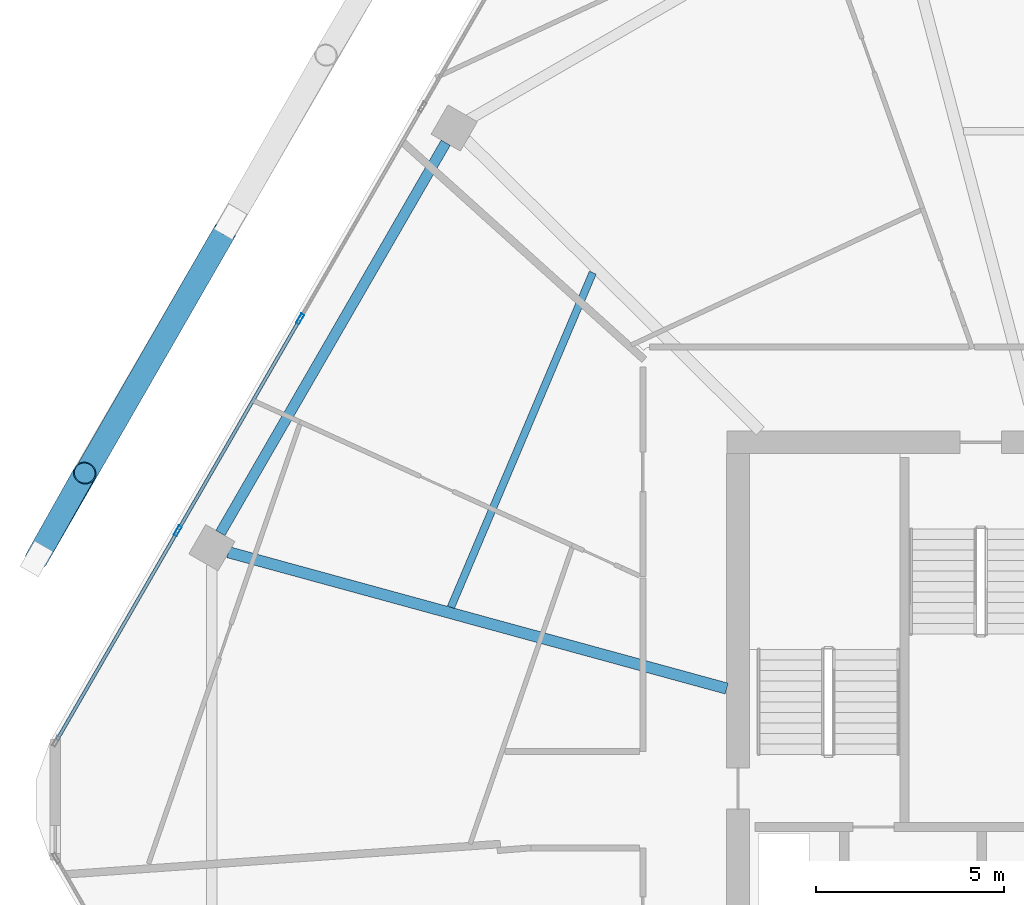
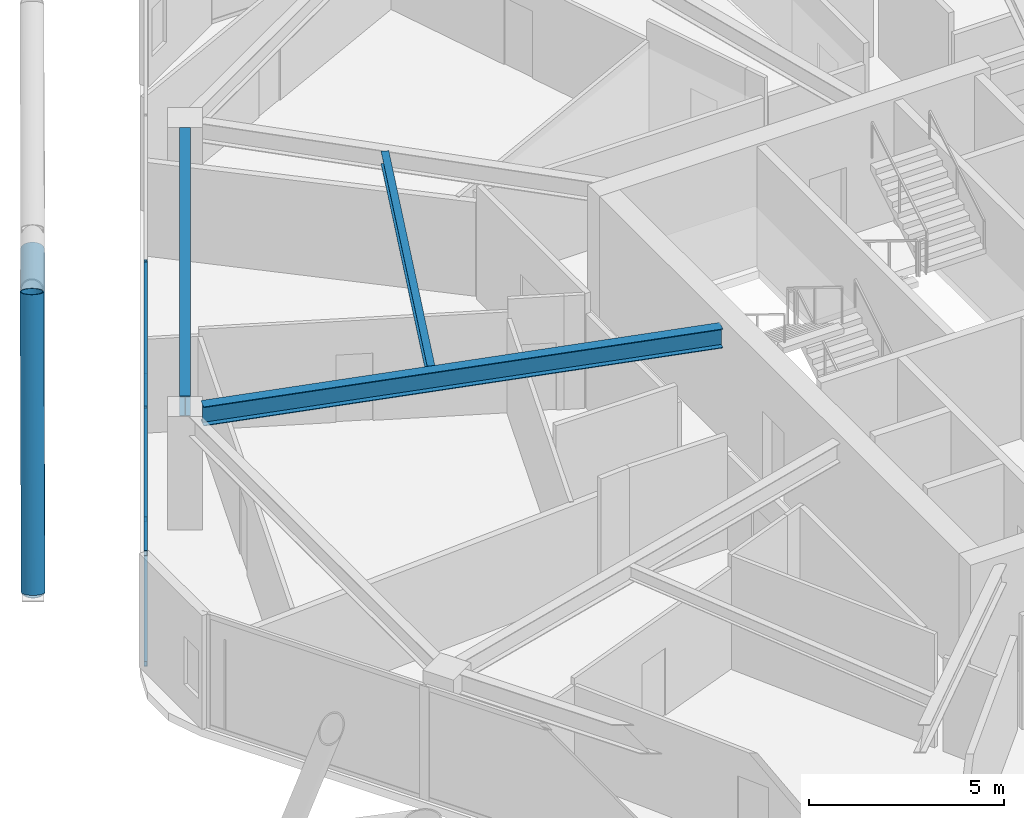
# One storey, part 12 of 26: 8 members, 3 beams, 1 element without a shape of its own.
"""IFC4 building model written with IfcOpenShell, lengths in metres."""

from ifc_helpers import new_model, si_unit, direction, frame, origin, origin_2d, place, context, subcontext, project, spatial, hollow_rectangle, hollow_circle, i_section, extrude, material, material_profile, profile_set, type_object, element, aggregate, save


model = new_model("IFC4")

# Units and contexts
model_context = context("Model", 3, precision=1e-05, world=origin(), true_north=direction((0.0, 1.0)))
body_context = subcontext(model_context, "Body", "Model", "MODEL_VIEW")
ifc_project = project(units=[si_unit("LENGTHUNIT", "METRE"), si_unit("AREAUNIT", "SQUARE_METRE"), si_unit("VOLUMEUNIT", "CUBIC_METRE"), si_unit("PLANEANGLEUNIT", "RADIAN"), si_unit("MASSUNIT", "GRAM", prefix="KILO")], contexts=[model_context])

# Site, building, storey
site_placement = place(None, origin())
site = spatial("IfcSite", under=ifc_project, at=site_placement, CompositionType="ELEMENT")
building_placement = place(site_placement, origin())
building = spatial("IfcBuilding", under=site, at=building_placement, Name="Zuhravey Tower", CompositionType="ELEMENT")
storey_placement = place(building_placement, frame((0.0, 0.0, 231.199951171875)))
storey = spatial("IfcBuildingStorey", under=building, at=storey_placement, Name="L58", CompositionType="ELEMENT", Elevation=231.199951171875)

# Curtain wall, members
ifc_material_1 = material(Name="Thermally broken anodised aluminium", Category="aluminium")
curtain_wall_type = type_object("IfcCurtainWallType", Name="Zone 3-4 High-Rise Curtain Wall CW4", PredefinedType="NOTDEFINED", material=ifc_material_1)
curtain_wall_placement = place(storey_placement, origin())
curtain_wall = element("IfcCurtainWall", 1, at=curtain_wall_placement, inside=storey, type_object=curtain_wall_type, Name="L58 CW4 CW-L58-F3-1", PredefinedType="NOTDEFINED")
ifc_material_2 = material(Name="Anodised aluminium", Category="aluminium")
ifc_material_profile_1 = material_profile(ifc_material_2, hollow_rectangle(XDim=0.090087890625, YDim=0.284912109375, WallThickness=0.0048828125, at=origin_2d()), Name="ALU-RHS-90x285x5")
ifc_profile_set_1 = profile_set([ifc_material_profile_1], Name="Anodised aluminium")
member_type_1 = type_object("IfcMemberType", Name="Curtain-Wall Mullion 90x180", PredefinedType="MULLION", material=ifc_profile_set_1)
member_1_placement = place(storey_placement, frame((10.608154296875, 39.147216796875, 0.0), z_axis=(0.0, 0.0, 1.0), x_axis=(-0.866024851021, 0.500000957414, 0.0)))
member_1 = element("IfcMember", 2, at=member_1_placement, type_object=member_type_1, Name="CW4 mullion 2", PredefinedType="MULLION", context=body_context, shape_type="SweptSolid", body=[
    extrude(hollow_rectangle(XDim=0.090087890625, YDim=0.284912109375, WallThickness=0.0048828125, at=origin_2d()), origin(), (0.0, 0.0, 1.0), 3.550048828125),
])
member_2_placement = place(storey_placement, frame((13.861328125, 44.78173828125, 0.0), z_axis=(0.0, 0.0, 1.0), x_axis=(-0.866024851021, 0.500000957414, 0.0)))
member_2 = element("IfcMember", 3, at=member_2_placement, type_object=member_type_1, Name="CW4 mullion 3", PredefinedType="MULLION", context=body_context, shape_type="SweptSolid", body=[
    extrude(hollow_rectangle(XDim=0.090087890625, YDim=0.284912109375, WallThickness=0.0048828125, at=origin_2d()), origin(), (0.0, 0.0, 1.0), 3.550048828125),
])
ifc_material_profile_2 = material_profile(ifc_material_2, hollow_rectangle(XDim=0.090087890625, YDim=0.14990234375, WallThickness=0.0048828125, at=origin_2d()), Name="ALU-RHS-90x150x5")
ifc_profile_set_2 = profile_set([ifc_material_profile_2], Name="Anodised aluminium")
member_type_2 = type_object("IfcMemberType", Name="Curtain-Wall Transom 90x150", PredefinedType="USERDEFINED", material=ifc_profile_set_2)
member_3_placement = place(storey_placement, frame((7.39990234375, 33.59033203125, 0.045166015625), z_axis=(0.500008810174, 0.866020317169, 0.0), x_axis=(-0.866020317169, 0.500008810174, 0.0)))
member_3 = element("IfcMember", 4, at=member_3_placement, type_object=member_type_2, Name="CW4 transom 1.1", ObjectType="TRANSOM", PredefinedType="USERDEFINED", context=body_context, shape_type="SweptSolid", body=[
    extrude(hollow_rectangle(XDim=0.090087890625, YDim=0.14990234375, WallThickness=0.0048828125, at=origin_2d()), origin(), (0.0, 0.0, 1.0), 6.37158203125),
])
member_4_placement = place(storey_placement, frame((7.39990234375, 33.59033203125, 3.505126953125), z_axis=(0.500008810174, 0.866020317169, 0.0), x_axis=(-0.866020317169, 0.500008810174, 0.0)))
member_4 = element("IfcMember", 5, at=member_4_placement, type_object=member_type_2, Name="CW4 transom 1.2", ObjectType="TRANSOM", PredefinedType="USERDEFINED", context=body_context, shape_type="SweptSolid", body=[
    extrude(hollow_rectangle(XDim=0.090087890625, YDim=0.14990234375, WallThickness=0.0048828125, at=origin_2d()), origin(), (0.0, 0.0, 1.0), 6.37158203125),
])
member_5_placement = place(storey_placement, frame((10.630615234375, 39.18603515625, 0.045166015625), z_axis=(0.499998017366, 0.866026548456, 0.0), x_axis=(-0.866026548456, 0.499998017366, 0.0)))
member_5 = element("IfcMember", 6, at=member_5_placement, type_object=member_type_2, Name="CW4 transom 2.1", ObjectType="TRANSOM", PredefinedType="USERDEFINED", context=body_context, shape_type="SweptSolid", body=[
    extrude(hollow_rectangle(XDim=0.090087890625, YDim=0.14990234375, WallThickness=0.0048828125, at=origin_2d()), origin(), (0.0, 0.0, 1.0), 6.41650390625),
])
member_6_placement = place(storey_placement, frame((10.630615234375, 39.18603515625, 3.505126953125), z_axis=(0.499998017366, 0.866026548456, 0.0), x_axis=(-0.866026548456, 0.499998017366, 0.0)))
member_6 = element("IfcMember", 7, at=member_6_placement, type_object=member_type_2, Name="CW4 transom 2.2", ObjectType="TRANSOM", PredefinedType="USERDEFINED", context=body_context, shape_type="SweptSolid", body=[
    extrude(hollow_rectangle(XDim=0.090087890625, YDim=0.14990234375, WallThickness=0.0048828125, at=origin_2d()), origin(), (0.0, 0.0, 1.0), 6.41650390625),
])
aggregate(curtain_wall, [member_1, member_2, member_3, member_4, member_5, member_6])

# Members
ifc_material_3 = material(Name="Steel SM355", Category="steel")
ifc_material_profile_3 = material_profile(ifc_material_3, hollow_circle(Radius=0.3046875, WallThickness=0.028076171875, at=origin_2d()), Name="CHS-609.6x28")
ifc_profile_set_3 = profile_set([ifc_material_profile_3], Name="Steel SM355")
member_type_3 = type_object("IfcMemberType", Name="Exoskeleton Zone 3 Diagrid CHS610x28", PredefinedType="BRACE", material=ifc_profile_set_3)
member_7_placement = place(storey_placement, frame((6.855712890625, 38.407958984375, -0.446044921875), z_axis=(0.159790806545, 0.284218324033, 0.945350116321), x_axis=(-0.871682978645, 0.490070183485, 0.0)))
element("IfcMember", 8, at=member_7_placement, inside=storey, type_object=member_type_3, Name="L58 Face 3 Diagrid Brace 4", PredefinedType="BRACE", context=body_context, shape_type="SweptSolid", body=[
    extrude(hollow_circle(Radius=0.3046875, WallThickness=0.028076171875, at=origin_2d()), origin(), (0.0, 0.0, 1.0), 8.00146484375),
])
member_8_placement = place(storey_placement, frame((6.87158203125, 38.435546875, -0.449951171875), z_axis=(0.46812648662, 0.81354664089, 0.344962977175), x_axis=(-0.866751032843, 0.498741062141, 0.0)))
element("IfcMember", 9, at=member_8_placement, inside=storey, type_object=member_type_3, Name="L58 Face 3 Split Diagrid Brace 3A", PredefinedType="BRACE", context=body_context, shape_type="SweptSolid", body=[
    extrude(hollow_circle(Radius=0.3046875, WallThickness=0.028076171875, at=origin_2d()), origin(), (0.0, 0.0, 1.0), 10.680419921875),
])

# Beams
ifc_material_profile_4 = material_profile(ifc_material_3, i_section(OverallWidth=0.280029296875, OverallDepth=0.6201171875, WebThickness=0.011962890625, FlangeThickness=0.02001953125, at=origin_2d()), Name="H-620x280x12x20")
ifc_profile_set_4 = profile_set([ifc_material_profile_4], Name="Steel SM355")
beam_type_1 = type_object("IfcBeamType", Name="Perimeter Ring Beam H620x280", PredefinedType="BEAM", material=ifc_profile_set_4)
beam_1_placement = place(storey_placement, frame((17.72998046875, 49.46240234375, 3.239990234375), z_axis=(-0.500017744717, -0.866015158625, 0.0), x_axis=(0.866015158625, -0.500017744717, 0.0)))
element("IfcBeam", 10, at=beam_1_placement, inside=storey, type_object=beam_type_1, Name="L58 PB3 BM-L58-PB-05", PredefinedType="BEAM", context=body_context, shape_type="SweptSolid", body=[
    extrude(i_section(OverallWidth=0.280029296875, OverallDepth=0.6201171875, WebThickness=0.011962890625, FlangeThickness=0.02001953125, at=origin_2d()), origin(), (0.0, 0.0, 1.0), 11.9755859375),
])
ifc_material_profile_5 = material_profile(ifc_material_3, i_section(OverallWidth=0.300048828125, OverallDepth=0.60009765625, WebThickness=0.011962890625, FlangeThickness=0.02001953125, at=origin_2d()), Name="H-600x300x12x20")
ifc_profile_set_5 = profile_set([ifc_material_profile_5], Name="Steel SM355")
beam_type_2 = type_object("IfcBeamType", Name="Radial Primary Girder H600x300", PredefinedType="BEAM", material=ifc_profile_set_5)
beam_2_placement = place(storey_placement, frame((25.197021484375, 34.95556640625, 3.25), z_axis=(-0.964548913045, 0.26390413855, 0.0), x_axis=(-0.26390413855, -0.964548913045, 0.0)))
element("IfcBeam", 11, at=beam_2_placement, inside=storey, type_object=beam_type_2, Name="L58 RG3 BM-L58-RAD-06", PredefinedType="BEAM", context=body_context, shape_type="SweptSolid", body=[
    extrude(i_section(OverallWidth=0.300048828125, OverallDepth=0.60009765625, WebThickness=0.011962890625, FlangeThickness=0.02001953125, at=origin_2d()), origin(), (0.0, 0.0, 1.0), 13.7314453125),
])
ifc_material_profile_6 = material_profile(ifc_material_3, i_section(OverallWidth=0.199951171875, OverallDepth=0.39990234375, WebThickness=0.008056640625, FlangeThickness=0.012939453125, at=origin_2d()), Name="H-400x200x8x13")
ifc_profile_set_6 = profile_set([ifc_material_profile_6], Name="Steel SM355")
beam_type_3 = type_object("IfcBeamType", Name="Secondary Floor Joist H400x200", PredefinedType="JOIST", material=ifc_profile_set_6)
beam_3_placement = place(storey_placement, frame((21.63916015625, 46.009033203125, 3.35009765625), z_axis=(-0.390413493754, -0.920639616731, 0.0), x_axis=(0.920639616731, -0.390413493754, 0.0)))
element("IfcBeam", 12, at=beam_3_placement, inside=storey, type_object=beam_type_3, Name="L58 SJ2 BM-L58-SJ-05-1", PredefinedType="JOIST", context=body_context, shape_type="SweptSolid", body=[
    extrude(i_section(OverallWidth=0.199951171875, OverallDepth=0.39990234375, WebThickness=0.008056640625, FlangeThickness=0.012939453125, at=origin_2d()), origin(), (0.0, 0.0, 1.0), 9.656494140625),
])

save(model, "model.ifc")
